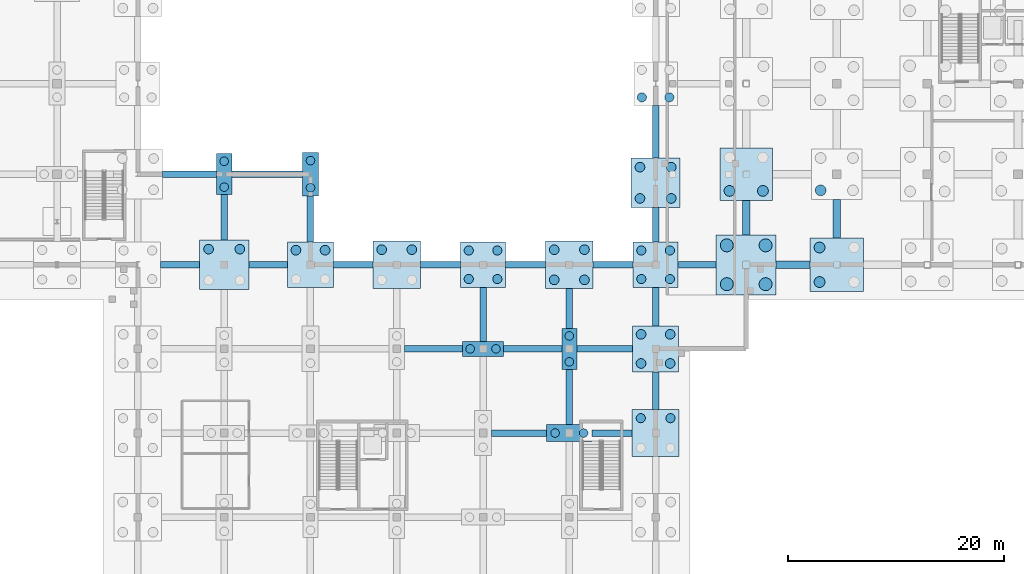
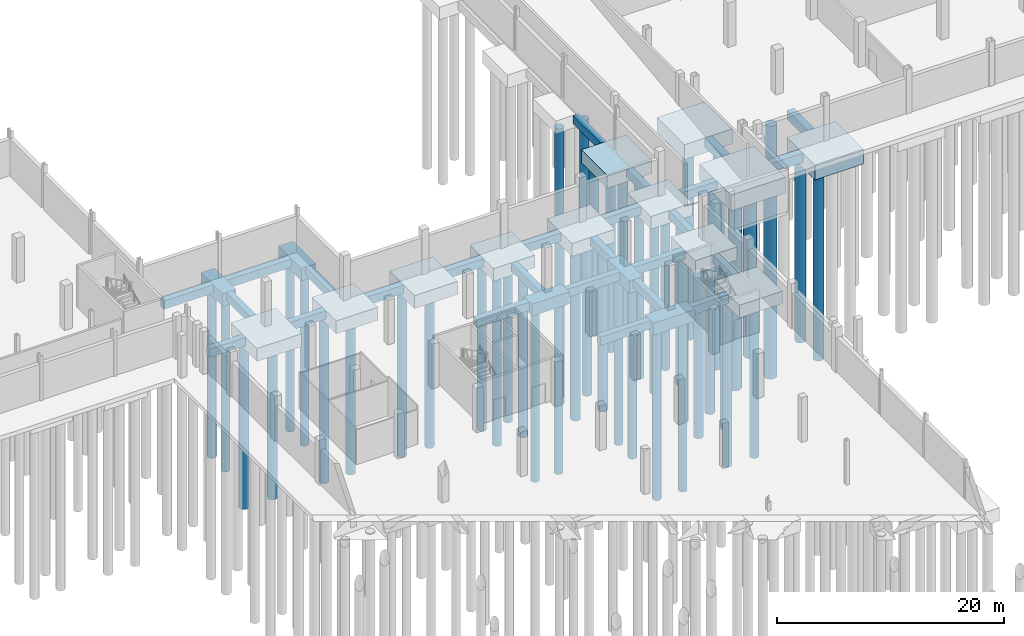
# One storey, part 9 of 44: 49 piles, 43 footings.
"""IFC4 building model written with IfcOpenShell, lengths in metres."""

from ifc_helpers import new_model, si_unit, direction, frame, origin, origin_2d, place, context, subcontext, project, spatial, polyline, rectangle, circle, outline, extrude, material, material_profile, profile_set, type_object, element, save


model = new_model("IFC4")

# Units and contexts
model_context = context("Model", 3, precision=1e-05, world=origin(), true_north=direction((0.0, 1.0)))
body_context = subcontext(model_context, "Body", "Model", "MODEL_VIEW")
ifc_project = project(units=[si_unit("LENGTHUNIT", "METRE"), si_unit("AREAUNIT", "SQUARE_METRE"), si_unit("VOLUMEUNIT", "CUBIC_METRE"), si_unit("PLANEANGLEUNIT", "RADIAN"), si_unit("MASSUNIT", "GRAM", prefix="KILO")], contexts=[model_context])

# Site, building, storey
site_placement = place(None, origin())
site = spatial("IfcSite", under=ifc_project, at=site_placement, CompositionType="ELEMENT")
building_placement = place(site_placement, origin())
building = spatial("IfcBuilding", under=site, at=building_placement, Name="Yukiwa Park Conservatory and Herbarium", CompositionType="ELEMENT")
storey_placement = place(building_placement, frame((0.0, 0.0, -4.800048828125)))
storey = spatial("IfcBuildingStorey", under=building, at=storey_placement, Name="B1", CompositionType="ELEMENT", Elevation=-4.800048828125)

# Footings
ifc_material_1 = material(Name="Concrete C35", Category="concrete")
footing_type_1 = type_object("IfcFootingType", Name="FT-BEAM-600X900", PredefinedType="FOOTING_BEAM", material=ifc_material_1)
footing_1_placement = place(storey_placement, frame((0.0, 0.0, -1.349853515625)))
element("IfcFooting", 1, at=footing_1_placement, inside=storey, type_object=footing_type_1, Name="Foundation tie beam X-80", PredefinedType="FOOTING_BEAM", context=body_context, shape_type="SweptSolid", body=[
    extrude(outline(polyline([(92.780029296875, 62.10009765625), (97.89990234375, 62.10009765625), (97.89990234375, 62.699951171875), (92.780029296875, 62.699951171875), (92.780029296875, 62.10009765625)])), origin(), (0.0, 0.0, 1.0), 0.89990234375),
])
footing_2_placement = place(storey_placement, frame((0.0, 0.0, -1.349853515625)))
element("IfcFooting", 2, at=footing_2_placement, inside=storey, type_object=footing_type_1, Name="Foundation tie beam X-81", PredefinedType="FOOTING_BEAM", context=body_context, shape_type="SweptSolid", body=[
    extrude(outline(polyline([(102.10009765625, 62.10009765625), (105.820068359375, 62.10009765625), (105.820068359375, 62.699951171875), (102.10009765625, 62.699951171875), (102.10009765625, 62.10009765625)])), origin(), (0.0, 0.0, 1.0), 0.89990234375),
])
footing_3_placement = place(storey_placement, frame((0.0, 0.0, -1.349853515625)))
element("IfcFooting", 3, at=footing_3_placement, inside=storey, type_object=footing_type_1, Name="Foundation tie beam X-85", PredefinedType="FOOTING_BEAM", context=body_context, shape_type="SweptSolid", body=[
    extrude(outline(polyline([(84.699951171875, 69.89990234375), (90.10009765625, 69.89990234375), (90.10009765625, 70.5), (84.699951171875, 70.5), (84.699951171875, 69.89990234375)])), origin(), (0.0, 0.0, 1.0), 0.89990234375),
])
footing_4_placement = place(storey_placement, frame((0.0, 0.0, -1.349853515625)))
element("IfcFooting", 4, at=footing_4_placement, inside=storey, type_object=footing_type_1, Name="Foundation tie beam X-86", PredefinedType="FOOTING_BEAM", context=body_context, shape_type="SweptSolid", body=[
    extrude(outline(polyline([(93.89990234375, 69.89990234375), (99.300048828125, 69.89990234375), (99.300048828125, 70.5), (93.89990234375, 70.5), (93.89990234375, 69.89990234375)])), origin(), (0.0, 0.0, 1.0), 0.89990234375),
])
footing_5_placement = place(storey_placement, frame((0.0, 0.0, -1.349853515625)))
element("IfcFooting", 5, at=footing_5_placement, inside=storey, type_object=footing_type_1, Name="Foundation tie beam X-87", PredefinedType="FOOTING_BEAM", context=body_context, shape_type="SweptSolid", body=[
    extrude(outline(polyline([(100.699951171875, 69.89990234375), (105.8798828125, 69.89990234375), (105.8798828125, 70.5), (100.699951171875, 70.5), (100.699951171875, 69.89990234375)])), origin(), (0.0, 0.0, 1.0), 0.89990234375),
])
footing_6_placement = place(storey_placement, frame((0.0, 0.0, -1.349853515625)))
element("IfcFooting", 6, at=footing_6_placement, inside=storey, type_object=footing_type_1, Name="Foundation tie beam X-94", PredefinedType="FOOTING_BEAM", context=body_context, shape_type="SweptSolid", body=[
    extrude(outline(polyline([(62.10009765625, 77.699951171875), (65.719970703125, 77.699951171875), (65.719970703125, 78.300048828125), (62.10009765625, 78.300048828125), (62.10009765625, 77.699951171875)])), origin(), (0.0, 0.0, 1.0), 0.89990234375),
])
footing_7_placement = place(storey_placement, frame((0.0, 0.0, -1.349853515625)))
element("IfcFooting", 7, at=footing_7_placement, inside=storey, type_object=footing_type_1, Name="Foundation tie beam X-95", PredefinedType="FOOTING_BEAM", context=body_context, shape_type="SweptSolid", body=[
    extrude(outline(polyline([(70.280029296875, 77.699951171875), (73.8798828125, 77.699951171875), (73.8798828125, 78.300048828125), (70.280029296875, 78.300048828125), (70.280029296875, 77.699951171875)])), origin(), (0.0, 0.0, 1.0), 0.89990234375),
])
footing_8_placement = place(storey_placement, frame((0.0, 0.0, -1.349853515625)))
element("IfcFooting", 8, at=footing_8_placement, inside=storey, type_object=footing_type_1, Name="Foundation tie beam X-96", PredefinedType="FOOTING_BEAM", context=body_context, shape_type="SweptSolid", body=[
    extrude(outline(polyline([(78.1201171875, 77.699951171875), (81.800048828125, 77.699951171875), (81.800048828125, 78.300048828125), (78.1201171875, 78.300048828125), (78.1201171875, 77.699951171875)])), origin(), (0.0, 0.0, 1.0), 0.89990234375),
])
footing_9_placement = place(storey_placement, frame((0.0, 0.0, -1.349853515625)))
element("IfcFooting", 9, at=footing_9_placement, inside=storey, type_object=footing_type_1, Name="Foundation tie beam X-97", PredefinedType="FOOTING_BEAM", context=body_context, shape_type="SweptSolid", body=[
    extrude(outline(polyline([(86.199951171875, 77.699951171875), (89.89990234375, 77.699951171875), (89.89990234375, 78.300048828125), (86.199951171875, 78.300048828125), (86.199951171875, 77.699951171875)])), origin(), (0.0, 0.0, 1.0), 0.89990234375),
])
footing_10_placement = place(storey_placement, frame((0.0, 0.0, -1.349853515625)))
element("IfcFooting", 10, at=footing_10_placement, inside=storey, type_object=footing_type_1, Name="Foundation tie beam X-98", PredefinedType="FOOTING_BEAM", context=body_context, shape_type="SweptSolid", body=[
    extrude(outline(polyline([(94.10009765625, 77.699951171875), (97.800048828125, 77.699951171875), (97.800048828125, 78.300048828125), (94.10009765625, 78.300048828125), (94.10009765625, 77.699951171875)])), origin(), (0.0, 0.0, 1.0), 0.89990234375),
])
footing_11_placement = place(storey_placement, frame((0.0, 0.0, -1.349853515625)))
element("IfcFooting", 11, at=footing_11_placement, inside=storey, type_object=footing_type_1, Name="Foundation tie beam X-99", PredefinedType="FOOTING_BEAM", context=body_context, shape_type="SweptSolid", body=[
    extrude(outline(polyline([(102.199951171875, 77.699951171875), (105.89990234375, 77.699951171875), (105.89990234375, 78.300048828125), (102.199951171875, 78.300048828125), (102.199951171875, 77.699951171875)])), origin(), (0.0, 0.0, 1.0), 0.89990234375),
])
footing_12_placement = place(storey_placement, frame((0.0, 0.0, -1.349853515625)))
element("IfcFooting", 12, at=footing_12_placement, inside=storey, type_object=footing_type_1, Name="Foundation tie beam X-100", PredefinedType="FOOTING_BEAM", context=body_context, shape_type="SweptSolid", body=[
    extrude(outline(polyline([(110.10009765625, 77.699951171875), (113.6201171875, 77.699951171875), (113.6201171875, 78.300048828125), (110.10009765625, 78.300048828125), (110.10009765625, 77.699951171875)])), origin(), (0.0, 0.0, 1.0), 0.89990234375),
])
footing_13_placement = place(storey_placement, frame((0.0, 0.0, -1.349853515625)))
element("IfcFooting", 13, at=footing_13_placement, inside=storey, type_object=footing_type_1, Name="Foundation tie beam X-113", PredefinedType="FOOTING_BEAM", context=body_context, shape_type="SweptSolid", body=[
    extrude(outline(polyline([(62.280029296875, 86.10009765625), (67.300048828125, 86.10009765625), (67.300048828125, 86.699951171875), (62.280029296875, 86.699951171875), (62.280029296875, 86.10009765625)])), origin(), (0.0, 0.0, 1.0), 0.89990234375),
])
footing_14_placement = place(storey_placement, frame((0.0, 0.0, -1.349853515625)))
element("IfcFooting", 14, at=footing_14_placement, inside=storey, type_object=footing_type_1, Name="Foundation tie beam X-114", PredefinedType="FOOTING_BEAM", context=body_context, shape_type="SweptSolid", body=[
    extrude(outline(polyline([(68.699951171875, 86.10009765625), (75.260009765625, 86.10009765625), (75.260009765625, 86.699951171875), (68.699951171875, 86.699951171875), (68.699951171875, 86.10009765625)])), origin(), (0.0, 0.0, 1.0), 0.89990234375),
])
footing_15_placement = place(storey_placement, frame((0.0, 0.0, -1.349853515625)))
element("IfcFooting", 15, at=footing_15_placement, inside=storey, type_object=footing_type_1, Name="Foundation tie beam Y-237", PredefinedType="FOOTING_BEAM", context=body_context, shape_type="SweptSolid", body=[
    extrude(outline(polyline([(67.699951171875, 80.280029296875), (68.300048828125, 80.280029296875), (68.300048828125, 84.5), (67.699951171875, 84.5), (67.699951171875, 80.280029296875)])), origin(), (0.0, 0.0, 1.0), 0.89990234375),
])
footing_16_placement = place(storey_placement, frame((0.0, 0.0, -1.349853515625)))
element("IfcFooting", 16, at=footing_16_placement, inside=storey, type_object=footing_type_1, Name="Foundation tie beam Y-246", PredefinedType="FOOTING_BEAM", context=body_context, shape_type="SweptSolid", body=[
    extrude(outline(polyline([(75.699951171875, 80.1201171875), (76.300048828125, 80.1201171875), (76.300048828125, 84.39990234375), (75.699951171875, 84.39990234375), (75.699951171875, 80.1201171875)])), origin(), (0.0, 0.0, 1.0), 0.89990234375),
])
footing_17_placement = place(storey_placement, frame((0.0, 0.0, -1.349853515625)))
element("IfcFooting", 17, at=footing_17_placement, inside=storey, type_object=footing_type_1, Name="Foundation tie beam Y-262", PredefinedType="FOOTING_BEAM", context=body_context, shape_type="SweptSolid", body=[
    extrude(outline(polyline([(91.699951171875, 70.89990234375), (92.300048828125, 70.89990234375), (92.300048828125, 75.89990234375), (91.699951171875, 75.89990234375), (91.699951171875, 70.89990234375)])), origin(), (0.0, 0.0, 1.0), 0.89990234375),
])
footing_18_placement = place(storey_placement, frame((0.0, 0.0, -1.349853515625)))
element("IfcFooting", 18, at=footing_18_placement, inside=storey, type_object=footing_type_1, Name="Foundation tie beam Y-269", PredefinedType="FOOTING_BEAM", context=body_context, shape_type="SweptSolid", body=[
    extrude(outline(polyline([(99.699951171875, 63.179931640625), (100.300048828125, 63.179931640625), (100.300048828125, 68.300048828125), (99.699951171875, 68.300048828125), (99.699951171875, 63.179931640625)])), origin(), (0.0, 0.0, 1.0), 0.89990234375),
])
footing_19_placement = place(storey_placement, frame((0.0, 0.0, -1.349853515625)))
element("IfcFooting", 19, at=footing_19_placement, inside=storey, type_object=footing_type_1, Name="Foundation tie beam Y-270", PredefinedType="FOOTING_BEAM", context=body_context, shape_type="SweptSolid", body=[
    extrude(outline(polyline([(99.699951171875, 72.10009765625), (100.300048828125, 72.10009765625), (100.300048828125, 75.800048828125), (99.699951171875, 75.800048828125), (99.699951171875, 72.10009765625)])), origin(), (0.0, 0.0, 1.0), 0.89990234375),
])
footing_20_placement = place(storey_placement, frame((0.0, 0.0, -1.349853515625)))
element("IfcFooting", 20, at=footing_20_placement, inside=storey, type_object=footing_type_1, Name="Foundation tie beam Y-277", PredefinedType="FOOTING_BEAM", context=body_context, shape_type="SweptSolid", body=[
    extrude(outline(polyline([(107.699951171875, 64.580078125), (108.300048828125, 64.580078125), (108.300048828125, 68.080078125), (107.699951171875, 68.080078125), (107.699951171875, 64.580078125)])), origin(), (0.0, 0.0, 1.0), 0.89990234375),
])
footing_21_placement = place(storey_placement, frame((0.0, 0.0, -1.349853515625)))
element("IfcFooting", 21, at=footing_21_placement, inside=storey, type_object=footing_type_1, Name="Foundation tie beam Y-278", PredefinedType="FOOTING_BEAM", context=body_context, shape_type="SweptSolid", body=[
    extrude(outline(polyline([(107.699951171875, 72.320068359375), (108.300048828125, 72.320068359375), (108.300048828125, 75.89990234375), (107.699951171875, 75.89990234375), (107.699951171875, 72.320068359375)])), origin(), (0.0, 0.0, 1.0), 0.89990234375),
])
footing_22_placement = place(storey_placement, frame((0.0, 0.0, -1.349853515625)))
element("IfcFooting", 22, at=footing_22_placement, inside=storey, type_object=footing_type_1, Name="Foundation tie beam Y-279", PredefinedType="FOOTING_BEAM", context=body_context, shape_type="SweptSolid", body=[
    extrude(outline(polyline([(107.699951171875, 80.10009765625), (108.300048828125, 80.10009765625), (108.300048828125, 83.320068359375), (107.699951171875, 83.320068359375), (107.699951171875, 80.10009765625)])), origin(), (0.0, 0.0, 1.0), 0.89990234375),
])
footing_23_placement = place(storey_placement, frame((0.0, 0.0, -1.349853515625)))
element("IfcFooting", 23, at=footing_23_placement, inside=storey, type_object=footing_type_1, Name="Foundation tie beam Y-280", PredefinedType="FOOTING_BEAM", context=body_context, shape_type="SweptSolid", body=[
    extrude(outline(polyline([(107.699951171875, 87.8798828125), (108.300048828125, 87.8798828125), (108.300048828125, 92.780029296875), (107.699951171875, 92.780029296875), (107.699951171875, 87.8798828125)])), origin(), (0.0, 0.0, 1.0), 0.89990234375),
])
ifc_material_2 = material(Name="Concrete C35", Category="concrete")
footing_type_2 = type_object("IfcFootingType", Name="FT-BEAM-700X1000", PredefinedType="FOOTING_BEAM", material=ifc_material_2)
footing_24_placement = place(storey_placement, frame((0.0, 0.0, -1.449951171875)))
element("IfcFooting", 24, at=footing_24_placement, inside=storey, type_object=footing_type_2, Name="Foundation tie beam X-101", PredefinedType="FOOTING_BEAM", context=body_context, shape_type="SweptSolid", body=[
    extrude(outline(polyline([(119.179931640625, 77.64990234375), (122.330078125, 77.64990234375), (122.330078125, 78.35009765625), (119.179931640625, 78.35009765625), (119.179931640625, 77.64990234375)])), origin(), (0.0, 0.0, 1.0), 1.0),
])
footing_25_placement = place(storey_placement, frame((0.0, 0.0, -1.449951171875)))
element("IfcFooting", 25, at=footing_25_placement, inside=storey, type_object=footing_type_2, Name="Foundation tie beam Y-283", PredefinedType="FOOTING_BEAM", context=body_context, shape_type="SweptSolid", body=[
    extrude(outline(polyline([(116.050048828125, 80.780029296875), (116.75, 80.780029296875), (116.75, 83.97998046875), (116.050048828125, 83.97998046875), (116.050048828125, 80.780029296875)])), origin(), (0.0, 0.0, 1.0), 1.0),
])
footing_26_placement = place(storey_placement, frame((0.0, 0.0, -1.449951171875)))
element("IfcFooting", 26, at=footing_26_placement, inside=storey, type_object=footing_type_2, Name="Foundation tie beam Y-287", PredefinedType="FOOTING_BEAM", context=body_context, shape_type="SweptSolid", body=[
    extrude(outline(polyline([(124.449951171875, 80.469970703125), (125.14990234375, 80.469970703125), (125.14990234375, 84.06005859375), (124.449951171875, 84.06005859375), (124.449951171875, 80.469970703125)])), origin(), (0.0, 0.0, 1.0), 1.0),
])
ifc_material_3 = material(Name="Concrete C35", Category="concrete")
footing_type_3 = type_object("IfcFootingType", Name="FT-PC-1400X3800X1350", PredefinedType="PILE_CAP", material=ifc_material_3)
for number, where, z_axis, x_axis, name in (
    (27, (68.0, 86.39990234375, -1.800048828125), (0.0, 0.0, 1.0), (1.0, 0.0, 0.0), "Reinforced concrete pile cap 94"),
    (28, (100.0, 70.199951171875, -1.800048828125), (0.0, 0.0, 1.0), (1.0, 0.0, 0.0), "Reinforced concrete pile cap 130"),
):
    element("IfcFooting", number, at=place(storey_placement, frame(where, z_axis=z_axis, x_axis=x_axis)), inside=storey, type_object=footing_type_3, Name=name, PredefinedType="PILE_CAP", context=body_context, shape_type="SweptSolid", body=[
        extrude(rectangle(XDim=1.39990234375, YDim=3.800048828125, at=origin_2d()), origin(), (0.0, 0.0, 1.0), 1.35009765625),
    ])
ifc_material_4 = material(Name="Concrete C35", Category="concrete")
footing_type_4 = type_object("IfcFootingType", Name="FT-PC-1480X4000X1350", PredefinedType="PILE_CAP", material=ifc_material_4)
footing_27_placement = place(storey_placement, frame((76.0, 86.39990234375, -1.800048828125), z_axis=(0.0, 0.0, 1.0), x_axis=(1.0, 0.0, 0.0)))
element("IfcFooting", 29, at=footing_27_placement, inside=storey, type_object=footing_type_4, Name="Reinforced concrete pile cap 104", PredefinedType="PILE_CAP", context=body_context, shape_type="SweptSolid", body=[
    extrude(rectangle(XDim=1.47998046875, YDim=4.0, at=origin_2d()), origin(), (0.0, 0.0, 1.0), 1.35009765625),
])
ifc_material_5 = material(Name="Concrete C35", Category="concrete")
footing_type_5 = type_object("IfcFootingType", Name="FT-PC-3800X1400X1300", PredefinedType="PILE_CAP", material=ifc_material_5)
footing_28_placement = place(storey_placement, frame((92.0, 70.199951171875, -1.75), z_axis=(0.0, 0.0, 1.0), x_axis=(1.0, 0.0, 0.0)))
element("IfcFooting", 30, at=footing_28_placement, inside=storey, type_object=footing_type_5, Name="Reinforced concrete pile cap 121", PredefinedType="PILE_CAP", context=body_context, shape_type="SweptSolid", body=[
    extrude(rectangle(XDim=3.800048828125, YDim=1.39990234375, at=origin_2d()), origin(), (0.0, 0.0, 1.0), 1.300048828125),
])
ifc_material_6 = material(Name="Concrete C35", Category="concrete")
footing_type_6 = type_object("IfcFootingType", Name="FT-PC-4200X1560X1300", PredefinedType="PILE_CAP", material=ifc_material_6)
footing_29_placement = place(storey_placement, frame((100.0, 62.39990234375, -1.75), z_axis=(0.0, 0.0, 1.0), x_axis=(1.0, 0.0, 0.0)))
element("IfcFooting", 31, at=footing_29_placement, inside=storey, type_object=footing_type_6, Name="Reinforced concrete pile cap 129", PredefinedType="PILE_CAP", context=body_context, shape_type="SweptSolid", body=[
    extrude(rectangle(XDim=4.199951171875, YDim=1.56005859375, at=origin_2d()), origin(), (0.0, 0.0, 1.0), 1.300048828125),
])
ifc_material_7 = material(Name="Concrete C35", Category="concrete")
footing_type_7 = type_object("IfcFootingType", Name="FT-PC-4200X4200X1350", PredefinedType="PILE_CAP", material=ifc_material_7)
for number, where, z_axis, x_axis, name in (
    (32, (92.0, 78.0, -1.800048828125), (0.0, 0.0, 1.0), (1.0, 0.0, 0.0), "Reinforced concrete pile cap 122"),
    (33, (108.0, 78.0, -1.800048828125), (0.0, 0.0, 1.0), (1.0, 0.0, 0.0), "Reinforced concrete pile cap 140"),
):
    element("IfcFooting", number, at=place(storey_placement, frame(where, z_axis=z_axis, x_axis=x_axis)), inside=storey, type_object=footing_type_7, Name=name, PredefinedType="PILE_CAP", context=body_context, shape_type="SweptSolid", body=[
        extrude(rectangle(XDim=4.199951171875, YDim=4.199951171875, at=origin_2d()), origin(), (0.0, 0.0, 1.0), 1.35009765625),
    ])
ifc_material_8 = material(Name="Concrete C35", Category="concrete")
footing_type_8 = type_object("IfcFootingType", Name="FT-PC-4240X4240X1400", PredefinedType="PILE_CAP", material=ifc_material_8)
for number, where, z_axis, x_axis, name in (
    (34, (76.0, 78.0, -1.849853515625), (0.0, 0.0, 1.0), (1.0, 0.0, 0.0), "Reinforced concrete pile cap 103"),
    (35, (108.0, 70.199951171875, -1.849853515625), (0.0, 0.0, 1.0), (1.0, 0.0, 0.0), "Reinforced concrete pile cap 139"),
):
    element("IfcFooting", number, at=place(storey_placement, frame(where, z_axis=z_axis, x_axis=x_axis)), inside=storey, type_object=footing_type_8, Name=name, PredefinedType="PILE_CAP", context=body_context, shape_type="SweptSolid", body=[
        extrude(rectangle(XDim=4.239990234375, YDim=4.239990234375, at=origin_2d()), origin(), (0.0, 0.0, 1.0), 1.39990234375),
    ])
ifc_material_9 = material(Name="Concrete C35", Category="concrete")
footing_type_9 = type_object("IfcFootingType", Name="FT-PC-4360X4360X1350", PredefinedType="PILE_CAP", material=ifc_material_9)
footing_30_placement = place(storey_placement, frame((108.0, 62.39990234375, -1.800048828125), z_axis=(0.0, 0.0, 1.0), x_axis=(1.0, 0.0, 0.0)))
element("IfcFooting", 36, at=footing_30_placement, inside=storey, type_object=footing_type_9, Name="Reinforced concrete pile cap 138", PredefinedType="PILE_CAP", context=body_context, shape_type="SweptSolid", body=[
    extrude(rectangle(XDim=4.360107421875, YDim=4.360107421875, at=origin_2d()), origin(), (0.0, 0.0, 1.0), 1.35009765625),
])
ifc_material_10 = material(Name="Concrete C35", Category="concrete")
footing_type_10 = type_object("IfcFootingType", Name="FT-PC-4400X4400X1400", PredefinedType="PILE_CAP", material=ifc_material_10)
for number, where, z_axis, x_axis, name in (
    (37, (84.0, 78.0, -1.849853515625), (0.0, 0.0, 1.0), (1.0, 0.0, 0.0), "Reinforced concrete pile cap 113"),
    (38, (100.0, 78.0, -1.849853515625), (0.0, 0.0, 1.0), (1.0, 0.0, 0.0), "Reinforced concrete pile cap 131"),
):
    element("IfcFooting", number, at=place(storey_placement, frame(where, z_axis=z_axis, x_axis=x_axis)), inside=storey, type_object=footing_type_10, Name=name, PredefinedType="PILE_CAP", context=body_context, shape_type="SweptSolid", body=[
        extrude(rectangle(XDim=4.39990234375, YDim=4.39990234375, at=origin_2d()), origin(), (0.0, 0.0, 1.0), 1.39990234375),
    ])
ifc_material_11 = material(Name="Concrete C35", Category="concrete")
footing_type_11 = type_object("IfcFootingType", Name="FT-PC-4560X4560X1400", PredefinedType="PILE_CAP", material=ifc_material_11)
for number, where, z_axis, x_axis, name in (
    (39, (68.0, 78.0, -1.849853515625), (0.0, 0.0, 1.0), (1.0, 0.0, 0.0), "Reinforced concrete pile cap 93"),
    (40, (108.0, 85.60009765625, -1.849853515625), (0.0, 0.0, 1.0), (1.0, 0.0, 0.0), "Reinforced concrete pile cap 141"),
):
    element("IfcFooting", number, at=place(storey_placement, frame(where, z_axis=z_axis, x_axis=x_axis)), inside=storey, type_object=footing_type_11, Name=name, PredefinedType="PILE_CAP", context=body_context, shape_type="SweptSolid", body=[
        extrude(rectangle(XDim=4.56005859375, YDim=4.56005859375, at=origin_2d()), origin(), (0.0, 0.0, 1.0), 1.39990234375),
    ])
ifc_material_12 = material(Name="Concrete C35", Category="concrete")
footing_type_12 = type_object("IfcFootingType", Name="FT-PC-4840X4840X1600", PredefinedType="PILE_CAP", material=ifc_material_12)
footing_31_placement = place(storey_placement, frame((116.39990234375, 86.39990234375, -2.050048828125), z_axis=(0.0, 0.0, 1.0), x_axis=(1.0, 0.0, 0.0)))
element("IfcFooting", 41, at=footing_31_placement, inside=storey, type_object=footing_type_12, Name="Reinforced concrete pile cap 146", PredefinedType="PILE_CAP", context=body_context, shape_type="SweptSolid", body=[
    extrude(rectangle(XDim=4.840087890625, YDim=4.840087890625, at=origin_2d()), origin(), (0.0, 0.0, 1.0), 1.60009765625),
])
ifc_material_13 = material(Name="Concrete C35", Category="concrete")
footing_type_13 = type_object("IfcFootingType", Name="FT-PC-4940X4940X1600", PredefinedType="PILE_CAP", material=ifc_material_13)
footing_32_placement = place(storey_placement, frame((124.800048828125, 78.0, -2.050048828125), z_axis=(0.0, 0.0, 1.0), x_axis=(1.0, 0.0, 0.0)))
element("IfcFooting", 42, at=footing_32_placement, inside=storey, type_object=footing_type_13, Name="Reinforced concrete pile cap 150", PredefinedType="PILE_CAP", context=body_context, shape_type="SweptSolid", body=[
    extrude(rectangle(XDim=4.93994140625, YDim=4.93994140625, at=origin_2d()), origin(), (0.0, 0.0, 1.0), 1.60009765625),
])
ifc_material_14 = material(Name="Concrete C35", Category="concrete")
footing_type_14 = type_object("IfcFootingType", Name="FT-PC-5560X5560X1700", PredefinedType="PILE_CAP", material=ifc_material_14)
footing_33_placement = place(storey_placement, frame((116.39990234375, 78.0, -2.14990234375), z_axis=(0.0, 0.0, 1.0), x_axis=(1.0, 0.0, 0.0)))
element("IfcFooting", 43, at=footing_33_placement, inside=storey, type_object=footing_type_14, Name="Reinforced concrete pile cap 145", PredefinedType="PILE_CAP", context=body_context, shape_type="SweptSolid", body=[
    extrude(rectangle(XDim=5.56005859375, YDim=5.56005859375, at=origin_2d()), origin(), (0.0, 0.0, 1.0), 1.699951171875),
])

# Piles
ifc_material_15 = material(Name="Concrete C35", Category="concrete")
ifc_material_profile_1 = material_profile(ifc_material_15, circle(Radius=0.5, at=origin_2d()), Name="PILE D1000")
ifc_profile_set_1 = profile_set([ifc_material_profile_1], Name="Concrete C35")
pile_type_1 = type_object("IfcPileType", Name="PL-BORED-D1000", PredefinedType="BORED", material=ifc_profile_set_1)
for number, where, z_axis, x_axis, name in (
    (44, (114.85009765625, 84.85009765625, -1.949951171875), (0.0, 0.0, -1.0), (1.0, 0.0, 0.0), "Bored cast-in-place pile 146.1"),
    (45, (117.949951171875, 84.85009765625, -1.949951171875), (0.0, 0.0, -1.0), (1.0, 0.0, 0.0), "Bored cast-in-place pile 146.2"),
    (46, (123.199951171875, 76.39990234375, -1.949951171875), (0.0, 0.0, -1.0), (1.0, 0.0, 0.0), "Bored cast-in-place pile 150.1"),
    (47, (123.199951171875, 79.60009765625, -1.949951171875), (0.0, 0.0, -1.0), (1.0, 0.0, 0.0), "Bored cast-in-place pile 150.3"),
    (48, (123.300048828125, 84.89990234375, -1.949951171875), (0.0, 0.0, -1.0), (1.0, 0.0, 0.0), "Bored cast-in-place pile 151.1"),
):
    element("IfcPile", number, at=place(storey_placement, frame(where, z_axis=z_axis, x_axis=x_axis)), inside=storey, type_object=pile_type_1, Name=name, PredefinedType="BORED", context=body_context, shape_type="SweptSolid", body=[
        extrude(circle(Radius=0.5, at=origin_2d()), origin(), (0.0, 0.0, 1.0), 20.050048828125),
    ])
ifc_material_16 = material(Name="Concrete C35", Category="concrete")
ifc_material_profile_2 = material_profile(ifc_material_16, circle(Radius=0.60009765625, at=origin_2d()), Name="PILE D1200")
ifc_profile_set_2 = profile_set([ifc_material_profile_2], Name="Concrete C35")
pile_type_2 = type_object("IfcPileType", Name="PL-BORED-D1200", PredefinedType="BORED", material=ifc_profile_set_2)
for number, where, z_axis, x_axis, name in (
    (49, (114.60009765625, 76.199951171875, -2.050048828125), (0.0, 0.0, -1.0), (1.0, 0.0, 0.0), "Bored cast-in-place pile 145.1"),
    (50, (118.199951171875, 76.199951171875, -2.050048828125), (0.0, 0.0, -1.0), (1.0, 0.0, 0.0), "Bored cast-in-place pile 145.2"),
    (51, (114.60009765625, 79.800048828125, -2.050048828125), (0.0, 0.0, -1.0), (1.0, 0.0, 0.0), "Bored cast-in-place pile 145.3"),
    (52, (118.199951171875, 79.800048828125, -2.050048828125), (0.0, 0.0, -1.0), (1.0, 0.0, 0.0), "Bored cast-in-place pile 145.4"),
):
    element("IfcPile", number, at=place(storey_placement, frame(where, z_axis=z_axis, x_axis=x_axis)), inside=storey, type_object=pile_type_2, Name=name, PredefinedType="BORED", context=body_context, shape_type="SweptSolid", body=[
        extrude(circle(Radius=0.60009765625, at=origin_2d()), origin(), (0.0, 0.0, 1.0), 19.949951171875),
    ])
ifc_material_17 = material(Name="Concrete C35", Category="concrete")
ifc_material_profile_3 = material_profile(ifc_material_17, circle(Radius=0.39990234375, at=origin_2d()), Name="PILE D800")
ifc_profile_set_3 = profile_set([ifc_material_profile_3], Name="Concrete C35")
pile_type_3 = type_object("IfcPileType", Name="PL-BORED-D800", PredefinedType="BORED", material=ifc_profile_set_3)
for number, where, z_axis, x_axis, name in (
    (53, (68.0, 85.199951171875, -1.699951171875), (0.0, 0.0, -1.0), (1.0, 0.0, 0.0), "Bored cast-in-place pile 94.1"),
    (54, (68.0, 87.60009765625, -1.699951171875), (0.0, 0.0, -1.0), (1.0, 0.0, 0.0), "Bored cast-in-place pile 94.2"),
    (55, (76.0, 85.139892578125, -1.699951171875), (0.0, 0.0, -1.0), (1.0, 0.0, 0.0), "Bored cast-in-place pile 104.1"),
    (56, (76.0, 87.659912109375, -1.699951171875), (0.0, 0.0, -1.0), (1.0, 0.0, 0.0), "Bored cast-in-place pile 104.2"),
):
    element("IfcPile", number, at=place(storey_placement, frame(where, z_axis=z_axis, x_axis=x_axis)), inside=storey, type_object=pile_type_3, Name=name, PredefinedType="BORED", context=body_context, shape_type="SweptSolid", body=[
        extrude(circle(Radius=0.39990234375, at=origin_2d()), origin(), (0.0, 0.0, 1.0), 18.300048828125),
    ])
for number, where, z_axis, x_axis, name in (
    (57, (90.800048828125, 70.199951171875, -1.64990234375), (0.0, 0.0, -1.0), (1.0, 0.0, 0.0), "Bored cast-in-place pile 121.1"),
    (58, (93.199951171875, 70.199951171875, -1.64990234375), (0.0, 0.0, -1.0), (1.0, 0.0, 0.0), "Bored cast-in-place pile 121.2"),
    (59, (98.679931640625, 62.39990234375, -1.64990234375), (0.0, 0.0, -1.0), (1.0, 0.0, 0.0), "Bored cast-in-place pile 129.1"),
    (60, (101.320068359375, 62.39990234375, -1.64990234375), (0.0, 0.0, -1.0), (1.0, 0.0, 0.0), "Bored cast-in-place pile 129.2"),
):
    element("IfcPile", number, at=place(storey_placement, frame(where, z_axis=z_axis, x_axis=x_axis)), inside=storey, type_object=pile_type_3, Name=name, PredefinedType="BORED", context=body_context, shape_type="SweptSolid", body=[
        extrude(circle(Radius=0.39990234375, at=origin_2d()), origin(), (0.0, 0.0, 1.0), 18.35009765625),
    ])
for number, where, z_axis, x_axis, name in (
    (61, (100.0, 69.0, -1.699951171875), (0.0, 0.0, -1.0), (1.0, 0.0, 0.0), "Bored cast-in-place pile 130.1"),
    (62, (100.0, 71.39990234375, -1.699951171875), (0.0, 0.0, -1.0), (1.0, 0.0, 0.0), "Bored cast-in-place pile 130.2"),
):
    element("IfcPile", number, at=place(storey_placement, frame(where, z_axis=z_axis, x_axis=x_axis)), inside=storey, type_object=pile_type_3, Name=name, PredefinedType="BORED", context=body_context, shape_type="SweptSolid", body=[
        extrude(circle(Radius=0.39990234375, at=origin_2d()), origin(), (0.0, 0.0, 1.0), 18.300048828125),
    ])
ifc_material_18 = material(Name="Concrete C35", Category="concrete")
ifc_material_profile_4 = material_profile(ifc_material_18, circle(Radius=0.425048828125, at=origin_2d()), Name="PILE D850")
ifc_profile_set_4 = profile_set([ifc_material_profile_4], Name="Concrete C35")
pile_type_4 = type_object("IfcPileType", Name="PL-BORED-D850", PredefinedType="BORED", material=ifc_profile_set_4)
for number, where, z_axis, x_axis, name in (
    (63, (90.675048828125, 76.675048828125, -1.699951171875), (0.0, 0.0, -1.0), (1.0, 0.0, 0.0), "Bored cast-in-place pile 122.1"),
    (64, (93.324951171875, 76.675048828125, -1.699951171875), (0.0, 0.0, -1.0), (1.0, 0.0, 0.0), "Bored cast-in-place pile 122.2"),
    (65, (90.675048828125, 79.324951171875, -1.699951171875), (0.0, 0.0, -1.0), (1.0, 0.0, 0.0), "Bored cast-in-place pile 122.3"),
    (66, (93.324951171875, 79.324951171875, -1.699951171875), (0.0, 0.0, -1.0), (1.0, 0.0, 0.0), "Bored cast-in-place pile 122.4"),
    (67, (106.625, 63.77490234375, -1.699951171875), (0.0, 0.0, -1.0), (1.0, 0.0, 0.0), "Bored cast-in-place pile 138.3"),
    (68, (109.375, 63.77490234375, -1.699951171875), (0.0, 0.0, -1.0), (1.0, 0.0, 0.0), "Bored cast-in-place pile 138.4"),
    (69, (106.675048828125, 76.675048828125, -1.699951171875), (0.0, 0.0, -1.0), (1.0, 0.0, 0.0), "Bored cast-in-place pile 140.1"),
    (70, (109.324951171875, 76.675048828125, -1.699951171875), (0.0, 0.0, -1.0), (1.0, 0.0, 0.0), "Bored cast-in-place pile 140.2"),
    (71, (106.675048828125, 79.324951171875, -1.699951171875), (0.0, 0.0, -1.0), (1.0, 0.0, 0.0), "Bored cast-in-place pile 140.3"),
    (72, (109.324951171875, 79.324951171875, -1.699951171875), (0.0, 0.0, -1.0), (1.0, 0.0, 0.0), "Bored cast-in-place pile 140.4"),
    (73, (106.72509765625, 93.52490234375, -1.699951171875), (0.0, 0.0, -1.0), (1.0, 0.0, 0.0), "Bored cast-in-place pile 142.1"),
    (74, (109.27490234375, 93.52490234375, -1.699951171875), (0.0, 0.0, -1.0), (1.0, 0.0, 0.0), "Bored cast-in-place pile 142.2"),
):
    element("IfcPile", number, at=place(storey_placement, frame(where, z_axis=z_axis, x_axis=x_axis)), inside=storey, type_object=pile_type_4, Name=name, PredefinedType="BORED", context=body_context, shape_type="SweptSolid", body=[
        extrude(circle(Radius=0.425048828125, at=origin_2d()), origin(), (0.0, 0.0, 1.0), 18.300048828125),
    ])
ifc_material_19 = material(Name="Concrete C35", Category="concrete")
ifc_material_profile_5 = material_profile(ifc_material_19, circle(Radius=0.449951171875, at=origin_2d()), Name="PILE D900")
ifc_profile_set_5 = profile_set([ifc_material_profile_5], Name="Concrete C35")
pile_type_5 = type_object("IfcPileType", Name="PL-BORED-D900", PredefinedType="BORED", material=ifc_profile_set_5)
for number, where, z_axis, x_axis, name in (
    (75, (66.550048828125, 79.449951171875, -1.75), (0.0, 0.0, -1.0), (1.0, 0.0, 0.0), "Bored cast-in-place pile 93.3"),
    (76, (69.449951171875, 79.449951171875, -1.75), (0.0, 0.0, -1.0), (1.0, 0.0, 0.0), "Bored cast-in-place pile 93.4"),
    (77, (74.64990234375, 79.35009765625, -1.75), (0.0, 0.0, -1.0), (1.0, 0.0, 0.0), "Bored cast-in-place pile 103.3"),
    (78, (77.35009765625, 79.35009765625, -1.75), (0.0, 0.0, -1.0), (1.0, 0.0, 0.0), "Bored cast-in-place pile 103.4"),
    (79, (82.60009765625, 79.39990234375, -1.75), (0.0, 0.0, -1.0), (1.0, 0.0, 0.0), "Bored cast-in-place pile 113.3"),
    (80, (85.39990234375, 79.39990234375, -1.75), (0.0, 0.0, -1.0), (1.0, 0.0, 0.0), "Bored cast-in-place pile 113.4"),
    (81, (98.60009765625, 76.60009765625, -1.75), (0.0, 0.0, -1.0), (1.0, 0.0, 0.0), "Bored cast-in-place pile 131.1"),
    (82, (101.39990234375, 76.60009765625, -1.75), (0.0, 0.0, -1.0), (1.0, 0.0, 0.0), "Bored cast-in-place pile 131.2"),
    (83, (98.60009765625, 79.39990234375, -1.75), (0.0, 0.0, -1.0), (1.0, 0.0, 0.0), "Bored cast-in-place pile 131.3"),
    (84, (101.39990234375, 79.39990234375, -1.75), (0.0, 0.0, -1.0), (1.0, 0.0, 0.0), "Bored cast-in-place pile 131.4"),
    (85, (106.64990234375, 68.85009765625, -1.75), (0.0, 0.0, -1.0), (1.0, 0.0, 0.0), "Bored cast-in-place pile 139.1"),
    (86, (109.35009765625, 68.85009765625, -1.75), (0.0, 0.0, -1.0), (1.0, 0.0, 0.0), "Bored cast-in-place pile 139.2"),
    (87, (106.64990234375, 71.550048828125, -1.75), (0.0, 0.0, -1.0), (1.0, 0.0, 0.0), "Bored cast-in-place pile 139.3"),
    (88, (109.35009765625, 71.550048828125, -1.75), (0.0, 0.0, -1.0), (1.0, 0.0, 0.0), "Bored cast-in-place pile 139.4"),
    (89, (106.550048828125, 84.14990234375, -1.75), (0.0, 0.0, -1.0), (1.0, 0.0, 0.0), "Bored cast-in-place pile 141.1"),
    (90, (109.449951171875, 84.14990234375, -1.75), (0.0, 0.0, -1.0), (1.0, 0.0, 0.0), "Bored cast-in-place pile 141.2"),
    (91, (106.550048828125, 87.050048828125, -1.75), (0.0, 0.0, -1.0), (1.0, 0.0, 0.0), "Bored cast-in-place pile 141.3"),
    (92, (109.449951171875, 87.050048828125, -1.75), (0.0, 0.0, -1.0), (1.0, 0.0, 0.0), "Bored cast-in-place pile 141.4"),
):
    element("IfcPile", number, at=place(storey_placement, frame(where, z_axis=z_axis, x_axis=x_axis)), inside=storey, type_object=pile_type_5, Name=name, PredefinedType="BORED", context=body_context, shape_type="SweptSolid", body=[
        extrude(circle(Radius=0.449951171875, at=origin_2d()), origin(), (0.0, 0.0, 1.0), 18.25),
    ])

save(model, "model.ifc")
